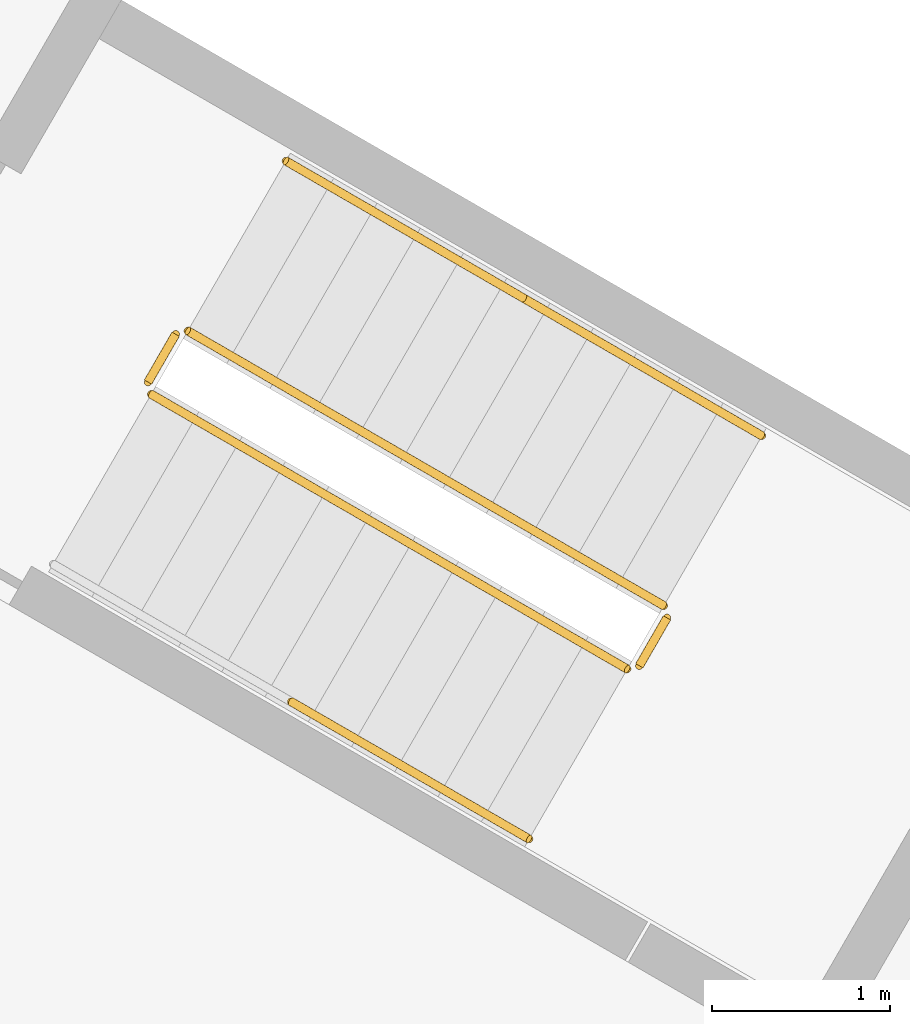
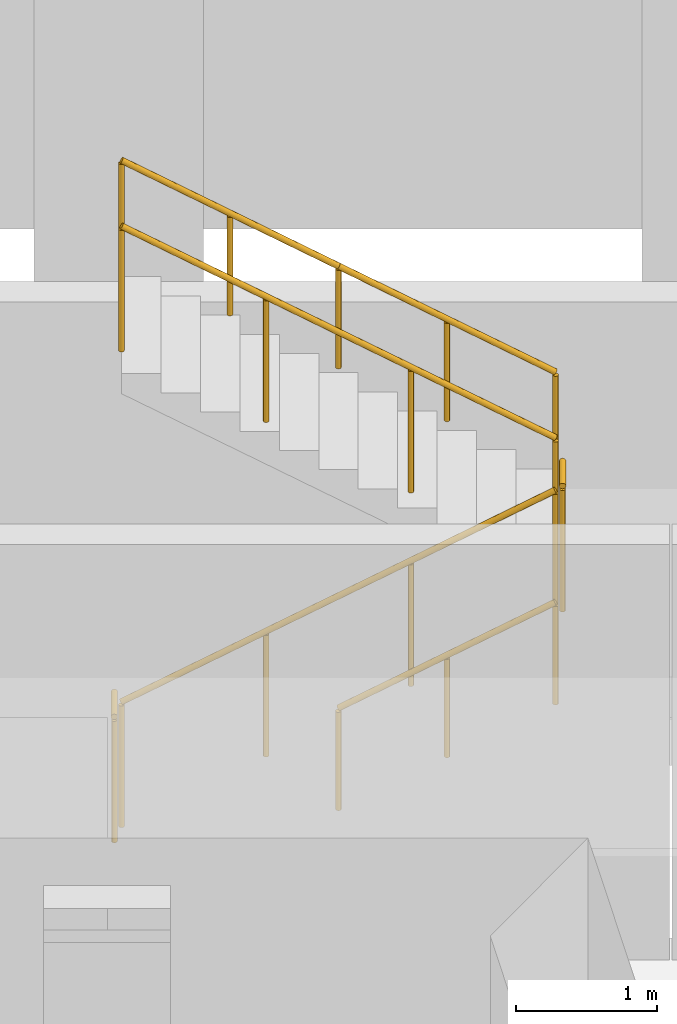
# One storey, part 28 of 28: 7 railings.
"""IFC4 building model written with IfcOpenShell, lengths in metres."""

from ifc_helpers import new_model, si_unit, direction, frame, origin, origin_2d, place, context, subcontext, project, spatial, circle, extrude, material, type_object, element, save


model = new_model("IFC4")

# Units and contexts
model_context = context("Model", 3, precision=1e-05, world=origin(), true_north=direction((0.0, 1.0)))
body_context = subcontext(model_context, "Body", "Model", "MODEL_VIEW")
ifc_project = project(units=[si_unit("LENGTHUNIT", "METRE"), si_unit("AREAUNIT", "SQUARE_METRE"), si_unit("VOLUMEUNIT", "CUBIC_METRE"), si_unit("PLANEANGLEUNIT", "RADIAN"), si_unit("MASSUNIT", "GRAM", prefix="KILO")], contexts=[model_context])

# Site, building, storey
site_placement = place(None, origin())
site = spatial("IfcSite", under=ifc_project, at=site_placement, CompositionType="ELEMENT")
building_placement = place(site_placement, origin())
building = spatial("IfcBuilding", under=site, at=building_placement, Name="Ayvan Gate Tower", CompositionType="ELEMENT")
storey_placement = place(building_placement, frame((0.0, 0.0, 74.300048828125)))
storey = spatial("IfcBuildingStorey", under=building, at=storey_placement, Name="L19", CompositionType="ELEMENT", Elevation=74.300048828125)

# Railings
ifc_material = material(Name="Stainless steel balustrade", Category="steel")
railing_type_1 = type_object("IfcRailingType", Name="RL-GUARD-1100", PredefinedType="GUARDRAIL", material=ifc_material)
railing_1_placement = place(storey_placement, frame((8.381103515625, 10.16650390625, 0.16650390625)))
element("IfcRailing", 1, at=railing_1_placement, inside=storey, type_object=railing_type_1, Name="L19 STS1 stair guard 1", PredefinedType="GUARDRAIL", context=body_context, shape_type="SweptSolid", body=[
    extrude(circle(Radius=0.02392578125, at=origin_2d()), frame((0.0, 0.0, 1.076171875), z_axis=(0.7441639146, -0.429634447492, 0.511502013422), x_axis=(0.499992328818, 0.866029832698, 0.0)), (0.0, 0.0, 1.0), 3.58447265625),
    extrude(circle(Radius=0.02099609375, at=origin_2d()), origin(), (0.0, 0.0, 1.0), 1.052001953125),
    extrude(circle(Radius=0.02099609375, at=origin_2d()), frame((0.88916015625, -0.513427734375, 0.611083984375)), (0.0, 0.0, 1.0), 1.052001953125),
    extrude(circle(Radius=0.02099609375, at=origin_2d()), frame((1.7783203125, -1.026611328125, 1.222412109375)), (0.0, 0.0, 1.0), 1.052001953125),
    extrude(circle(Radius=0.02099609375, at=origin_2d()), frame((2.66748046875, -1.5400390625, 1.83349609375)), (0.0, 0.0, 1.0), 1.052001953125),
])
railing_2_placement = place(storey_placement, frame((11.11669921875, 8.644775390625, 2.0)))
element("IfcRailing", 2, at=railing_2_placement, inside=storey, type_object=railing_type_1, Name="L19 STS1 stair guard 2", PredefinedType="GUARDRAIL", context=body_context, shape_type="SweptSolid", body=[
    extrude(circle(Radius=0.02392578125, at=origin_2d()), frame((0.0, 0.0, 1.076171875), z_axis=(0.499949632511, 0.866054481515, 0.0), x_axis=(-0.866054481515, 0.499949632511, 0.0)), (0.0, 0.0, 1.0), 0.31005859375),
    extrude(circle(Radius=0.02099609375, at=origin_2d()), origin(), (0.0, 0.0, 1.0), 1.052001953125),
    extrude(circle(Radius=0.02099609375, at=origin_2d()), frame((0.155029296875, 0.2685546875, 0.0)), (0.0, 0.0, 1.0), 1.052001953125),
])
railing_3_placement = place(storey_placement, frame((11.25341796875, 8.981689453125, 2.16650390625)))
element("IfcRailing", 3, at=railing_3_placement, inside=storey, type_object=railing_type_1, Name="L19 STS1 stair guard 3", PredefinedType="GUARDRAIL", context=body_context, shape_type="SweptSolid", body=[
    extrude(circle(Radius=0.02392578125, at=origin_2d()), frame((0.0, 0.0, 1.076171875), z_axis=(-0.744155296881, 0.429600682602, 0.511542908886), x_axis=(-0.499967199496, -0.866044340336, 0.0)), (0.0, 0.0, 1.0), 3.584228515625),
    extrude(circle(Radius=0.02099609375, at=origin_2d()), origin(), (0.0, 0.0, 1.0), 1.052001953125),
    extrude(circle(Radius=0.02099609375, at=origin_2d()), frame((-0.88916015625, 0.51318359375, 0.611083984375)), (0.0, 0.0, 1.0), 1.052001953125),
    extrude(circle(Radius=0.02099609375, at=origin_2d()), frame((-1.778076171875, 1.026611328125, 1.222412109375)), (0.0, 0.0, 1.0), 1.052001953125),
    extrude(circle(Radius=0.02099609375, at=origin_2d()), frame((-2.667236328125, 1.539794921875, 1.83349609375)), (0.0, 0.0, 1.0), 1.052001953125),
])
railing_4_placement = place(storey_placement, frame((8.36279296875, 10.23486328125, 0.0)))
element("IfcRailing", 4, at=railing_4_placement, inside=storey, type_object=railing_type_1, Name="L19 STS1 stair guard 4", PredefinedType="GUARDRAIL", context=body_context, shape_type="SweptSolid", body=[
    extrude(circle(Radius=0.02392578125, at=origin_2d()), frame((0.0, 0.0, 1.076171875), z_axis=(0.500290723946, 0.86585748916, 0.0), x_axis=(-0.86585748916, 0.500290723946, 0.0)), (0.0, 0.0, 1.0), 0.309814453125),
    extrude(circle(Radius=0.02099609375, at=origin_2d()), origin(), (0.0, 0.0, 1.0), 1.052001953125),
    extrude(circle(Radius=0.02099609375, at=origin_2d()), frame((0.155029296875, 0.268310546875, 0.0)), (0.0, 0.0, 1.0), 1.052001953125),
])
railing_type_2 = type_object("IfcRailingType", Name="RL-HANDRAIL-900", PredefinedType="HANDRAIL", material=ifc_material)
railing_5_placement = place(storey_placement, frame((9.164794921875, 8.44384765625, 1.083251953125)))
element("IfcRailing", 5, at=railing_5_placement, inside=storey, type_object=railing_type_2, Name="L19 STS1 stair handrail 2", PredefinedType="HANDRAIL", context=body_context, shape_type="SweptSolid", body=[
    extrude(circle(Radius=0.02392578125, at=origin_2d()), frame((0.0, 0.0, 0.8759765625), z_axis=(0.7441639146, -0.429634447492, 0.511502013422), x_axis=(0.499992328818, 0.866029832698, 0.0)), (0.0, 0.0, 1.0), 1.792236328125),
    extrude(circle(Radius=0.02099609375, at=origin_2d()), origin(), (0.0, 0.0, 1.0), 0.851806640625),
    extrude(circle(Radius=0.02099609375, at=origin_2d()), frame((0.6669921875, -0.385009765625, 0.45849609375)), (0.0, 0.0, 1.0), 0.851806640625),
    extrude(circle(Radius=0.02099609375, at=origin_2d()), frame((1.333740234375, -0.77001953125, 0.916748046875)), (0.0, 0.0, 1.0), 0.851806640625),
])
for number, where, name in (
    (6, (11.803466796875, 9.93408203125, 2.16650390625), "L19 STS1 stair handrail 3"),
    (7, (10.4697265625, 10.7041015625, 3.083251953125), "L19 STS1 stair handrail 4"),
):
    element("IfcRailing", number, at=place(storey_placement, frame(where)), inside=storey, type_object=railing_type_2, Name=name, PredefinedType="HANDRAIL", context=body_context, shape_type="SweptSolid", body=[
        extrude(circle(Radius=0.02392578125, at=origin_2d()), frame((0.0, 0.0, 0.8759765625), z_axis=(-0.7441639146, 0.429634447492, 0.511502013422), x_axis=(-0.499992328818, -0.866029832698, 0.0)), (0.0, 0.0, 1.0), 1.792236328125),
        extrude(circle(Radius=0.02099609375, at=origin_2d()), origin(), (0.0, 0.0, 1.0), 0.851806640625),
        extrude(circle(Radius=0.02099609375, at=origin_2d()), frame((-0.6669921875, 0.385009765625, 0.45849609375)), (0.0, 0.0, 1.0), 0.851806640625),
        extrude(circle(Radius=0.02099609375, at=origin_2d()), frame((-1.333740234375, 0.77001953125, 0.916748046875)), (0.0, 0.0, 1.0), 0.851806640625),
    ])

save(model, "model.ifc")
